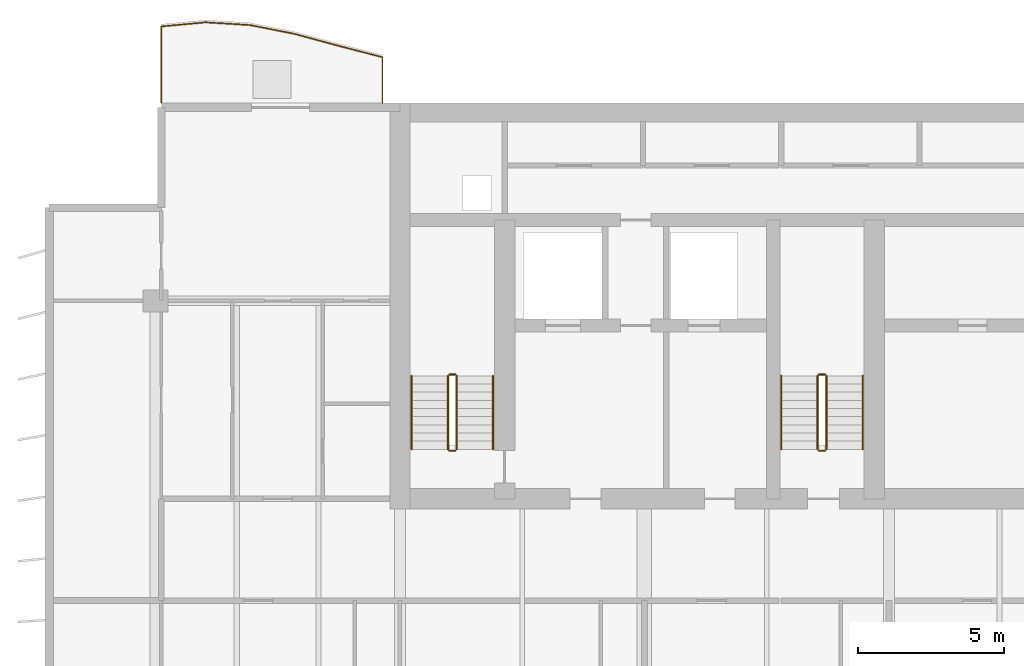
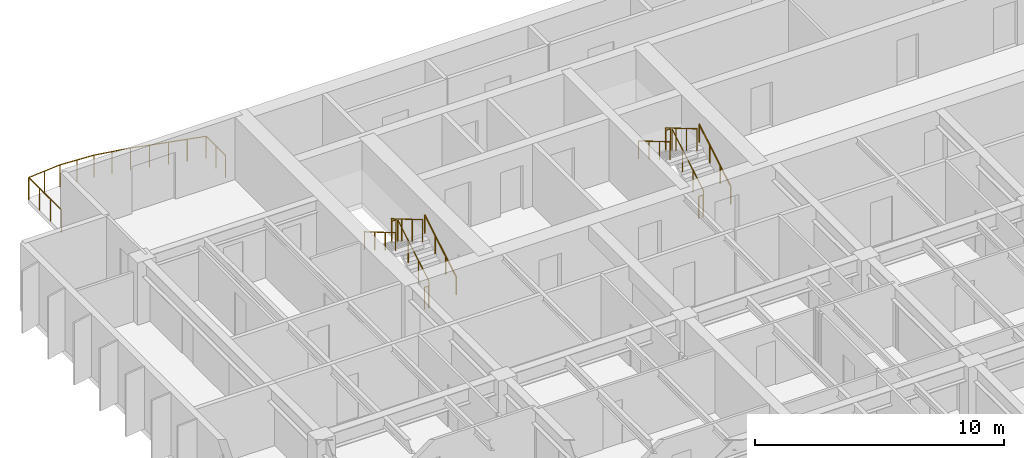
# One storey, part 17 of 19: 13 railings.
"""IFC4 building model written with IfcOpenShell, lengths in metres."""

from ifc_helpers import new_model, si_unit, direction, frame, origin, origin_2d, place, context, subcontext, project, spatial, circle, extrude, material, type_object, element, save


model = new_model("IFC4")

# Units and contexts
model_context = context("Model", 3, precision=1e-05, world=origin(), true_north=direction((0.0, 1.0)))
body_context = subcontext(model_context, "Body", "Model", "MODEL_VIEW")
ifc_project = project(units=[si_unit("LENGTHUNIT", "METRE"), si_unit("AREAUNIT", "SQUARE_METRE"), si_unit("VOLUMEUNIT", "CUBIC_METRE"), si_unit("PLANEANGLEUNIT", "RADIAN"), si_unit("MASSUNIT", "GRAM", prefix="KILO")], contexts=[model_context])

# Site, building, storey
site_placement = place(None, origin())
site = spatial("IfcSite", under=ifc_project, at=site_placement, CompositionType="ELEMENT")
building_placement = place(site_placement, origin())
building = spatial("IfcBuilding", under=site, at=building_placement, Name="Caelmar Bay Residences", CompositionType="ELEMENT")
storey_placement = place(building_placement, frame((0.0, 0.0, 188.39990234375)))
storey = spatial("IfcBuildingStorey", under=building, at=storey_placement, Name="L52", CompositionType="ELEMENT", Elevation=188.39990234375)

# Railings
ifc_material_1 = material(Name="Anodised bronze handrail with laminated hurricane glass infill", Category="glass")
railing_type_1 = type_object("IfcRailingType", Name="RL-BAL-1100", PredefinedType="BALUSTRADE", material=ifc_material_1)
railing_1_placement = place(storey_placement, frame((17.699951171875, 50.60009765625, 0.0)))
element("IfcRailing", 1, at=railing_1_placement, inside=storey, type_object=railing_type_1, Name="L52 north_west Balcony Balustrade", PredefinedType="BALUSTRADE", context=body_context, shape_type="SweptSolid", body=[
    extrude(circle(Radius=0.02392578125, at=origin_2d()), frame((0.0, 0.0, 1.076171875), z_axis=(0.0, 1.0, 0.0), x_axis=(-1.0, 0.0, 0.0)), (0.0, 0.0, 1.0), 1.570068359375),
    extrude(circle(Radius=0.02392578125, at=origin_2d()), frame((0.0, 1.570068359375, 1.076171875), z_axis=(-0.968040251218, 0.250794880375, 0.0), x_axis=(-0.250794880375, -0.968040251218, 0.0)), (0.0, 0.0, 1.0), 1.5703125),
    extrude(circle(Radius=0.02392578125, at=origin_2d()), frame((-1.52001953125, 1.9638671875, 1.076171875), z_axis=(-0.965273626461, 0.261240934884, 0.0), x_axis=(-0.261240934884, -0.965273626461, 0.0)), (0.0, 0.0, 1.0), 1.57470703125),
    extrude(circle(Radius=0.02392578125, at=origin_2d()), frame((-3.0400390625, 2.375244140625, 1.076171875), z_axis=(-0.981098441437, 0.193509297476, 0.0), x_axis=(-0.193509297476, -0.981098441437, 0.0)), (0.0, 0.0, 1.0), 1.54931640625),
    extrude(circle(Radius=0.02392578125, at=origin_2d()), frame((-4.56005859375, 2.675048828125, 1.076171875), z_axis=(-0.998112625987, 0.061409981647, 0.0), x_axis=(-0.061409981647, -0.998112625987, 0.0)), (0.0, 0.0, 1.0), 1.522705078125),
    extrude(circle(Radius=0.02392578125, at=origin_2d()), frame((-6.079833984375, 2.7685546875, 1.076171875), z_axis=(-0.995674076689, -0.092914654442, 0.0), x_axis=(0.092914654442, -0.995674076689, 0.0)), (0.0, 0.0, 1.0), 1.526611328125),
    extrude(circle(Radius=0.02392578125, at=origin_2d()), frame((-7.599853515625, 2.626708984375, 1.076171875), z_axis=(0.0, -1.0, 0.0), x_axis=(1.0, 0.0, 0.0)), (0.0, 0.0, 1.0), 2.626708984375),
    extrude(circle(Radius=0.02099609375, at=origin_2d()), origin(), (0.0, 0.0, 1.0), 1.052001953125),
    extrude(circle(Radius=0.02099609375, at=origin_2d()), frame((0.0, 0.78515625, 0.0)), (0.0, 0.0, 1.0), 1.052001953125),
    extrude(circle(Radius=0.02099609375, at=origin_2d()), frame((0.0, 1.570068359375, 0.0)), (0.0, 0.0, 1.0), 1.052001953125),
    extrude(circle(Radius=0.02099609375, at=origin_2d()), frame((-0.760009765625, 1.76708984375, 0.0)), (0.0, 0.0, 1.0), 1.052001953125),
    extrude(circle(Radius=0.02099609375, at=origin_2d()), frame((-1.52001953125, 1.9638671875, 0.0)), (0.0, 0.0, 1.0), 1.052001953125),
    extrude(circle(Radius=0.02099609375, at=origin_2d()), frame((-2.280029296875, 2.16943359375, 0.0)), (0.0, 0.0, 1.0), 1.052001953125),
    extrude(circle(Radius=0.02099609375, at=origin_2d()), frame((-3.0400390625, 2.375244140625, 0.0)), (0.0, 0.0, 1.0), 1.052001953125),
    extrude(circle(Radius=0.02099609375, at=origin_2d()), frame((-3.800048828125, 2.525146484375, 0.0)), (0.0, 0.0, 1.0), 1.052001953125),
    extrude(circle(Radius=0.02099609375, at=origin_2d()), frame((-4.56005859375, 2.675048828125, 0.0)), (0.0, 0.0, 1.0), 1.052001953125),
    extrude(circle(Radius=0.02099609375, at=origin_2d()), frame((-5.31982421875, 2.7216796875, 0.0)), (0.0, 0.0, 1.0), 1.052001953125),
    extrude(circle(Radius=0.02099609375, at=origin_2d()), frame((-6.079833984375, 2.7685546875, 0.0)), (0.0, 0.0, 1.0), 1.052001953125),
    extrude(circle(Radius=0.02099609375, at=origin_2d()), frame((-6.83984375, 2.69775390625, 0.0)), (0.0, 0.0, 1.0), 1.052001953125),
    extrude(circle(Radius=0.02099609375, at=origin_2d()), frame((-7.599853515625, 2.626708984375, 0.0)), (0.0, 0.0, 1.0), 1.052001953125),
    extrude(circle(Radius=0.02099609375, at=origin_2d()), frame((-7.599853515625, 1.751220703125, 0.0)), (0.0, 0.0, 1.0), 1.052001953125),
    extrude(circle(Radius=0.02099609375, at=origin_2d()), frame((-7.599853515625, 0.87548828125, 0.0)), (0.0, 0.0, 1.0), 1.052001953125),
    extrude(circle(Radius=0.02099609375, at=origin_2d()), frame((-7.599853515625, 0.0, 0.0)), (0.0, 0.0, 1.0), 1.052001953125),
])
ifc_material_2 = material(Name="Painted galvanized steel stair guard 1100 mm", Category="steel")
railing_type_2 = type_object("IfcRailingType", Name="RL-GRD-1100", PredefinedType="GUARDRAIL", material=ifc_material_2)
railing_2_placement = place(storey_placement, frame((20.25, 38.699951171875, 0.1650390625)))
element("IfcRailing", 2, at=railing_2_placement, inside=storey, type_object=railing_type_2, Name="L52 ST1 stair guard 1", PredefinedType="GUARDRAIL", context=body_context, shape_type="SweptSolid", body=[
    extrude(circle(Radius=0.02392578125, at=origin_2d()), frame((0.0, 0.0, 1.076171875), z_axis=(0.0, 0.86152411907, 0.507716645641), x_axis=(-1.0, 0.0, 0.0)), (0.0, 0.0, 1.0), 2.925048828125),
    extrude(circle(Radius=0.02099609375, at=origin_2d()), origin(), (0.0, 0.0, 1.0), 1.052001953125),
    extrude(circle(Radius=0.02099609375, at=origin_2d()), frame((0.0, 0.840087890625, 0.4951171875)), (0.0, 0.0, 1.0), 1.052001953125),
    extrude(circle(Radius=0.02099609375, at=origin_2d()), frame((0.0, 1.679931640625, 0.989990234375)), (0.0, 0.0, 1.0), 1.052001953125),
    extrude(circle(Radius=0.02099609375, at=origin_2d()), frame((0.0, 2.52001953125, 1.485107421875)), (0.0, 0.0, 1.0), 1.052001953125),
])
railing_3_placement = place(storey_placement, frame((20.199951171875, 41.27001953125, 1.650146484375)))
element("IfcRailing", 3, at=railing_3_placement, inside=storey, type_object=railing_type_2, Name="L52 ST1 stair guard 2", PredefinedType="GUARDRAIL", context=body_context, shape_type="SweptSolid", body=[
    extrude(circle(Radius=0.02392578125, at=origin_2d()), frame((0.0, 0.0, 1.076171875), z_axis=(-1.0, 0.0, 0.0), x_axis=(0.0, -1.0, 0.0)), (0.0, 0.0, 1.0), 0.199951171875),
    extrude(circle(Radius=0.02099609375, at=origin_2d()), origin(), (0.0, 0.0, 1.0), 1.052001953125),
    extrude(circle(Radius=0.02099609375, at=origin_2d()), frame((-0.199951171875, 0.0, 0.0)), (0.0, 0.0, 1.0), 1.052001953125),
])
railing_4_placement = place(storey_placement, frame((19.949951171875, 41.219970703125, 1.815185546875)))
element("IfcRailing", 4, at=railing_4_placement, inside=storey, type_object=railing_type_2, Name="L52 ST1 stair guard 3", PredefinedType="GUARDRAIL", context=body_context, shape_type="SweptSolid", body=[
    extrude(circle(Radius=0.02392578125, at=origin_2d()), frame((0.0, 0.0, 1.076171875), z_axis=(0.0, -0.861560626758, 0.507654692109), x_axis=(1.0, 0.0, 0.0)), (0.0, 0.0, 1.0), 2.925048828125),
    extrude(circle(Radius=0.02099609375, at=origin_2d()), origin(), (0.0, 0.0, 1.0), 1.052001953125),
    extrude(circle(Radius=0.02099609375, at=origin_2d()), frame((0.0, -0.840087890625, 0.494873046875)), (0.0, 0.0, 1.0), 1.052001953125),
    extrude(circle(Radius=0.02099609375, at=origin_2d()), frame((0.0, -1.679931640625, 0.989990234375)), (0.0, 0.0, 1.0), 1.052001953125),
    extrude(circle(Radius=0.02099609375, at=origin_2d()), frame((0.0, -2.52001953125, 1.48486328125)), (0.0, 0.0, 1.0), 1.052001953125),
])
railing_5_placement = place(storey_placement, frame((20.199951171875, 38.64990234375, 0.0)))
element("IfcRailing", 5, at=railing_5_placement, inside=storey, type_object=railing_type_2, Name="L52 ST1 stair guard 4", PredefinedType="GUARDRAIL", context=body_context, shape_type="SweptSolid", body=[
    extrude(circle(Radius=0.02392578125, at=origin_2d()), frame((0.0, 0.0, 1.076171875), z_axis=(-1.0, 0.0, 0.0), x_axis=(0.0, -1.0, 0.0)), (0.0, 0.0, 1.0), 0.199951171875),
    extrude(circle(Radius=0.02099609375, at=origin_2d()), origin(), (0.0, 0.0, 1.0), 1.052001953125),
    extrude(circle(Radius=0.02099609375, at=origin_2d()), frame((-0.199951171875, 0.0, 0.0)), (0.0, 0.0, 1.0), 1.052001953125),
])
railing_6_placement = place(storey_placement, frame((32.949951171875, 38.699951171875, 0.1650390625)))
element("IfcRailing", 6, at=railing_6_placement, inside=storey, type_object=railing_type_2, Name="L52 ST3 stair guard 1", PredefinedType="GUARDRAIL", context=body_context, shape_type="SweptSolid", body=[
    extrude(circle(Radius=0.02392578125, at=origin_2d()), frame((0.0, 0.0, 1.076171875), z_axis=(0.0, 0.86152411907, 0.507716645641), x_axis=(-1.0, 0.0, 0.0)), (0.0, 0.0, 1.0), 2.925048828125),
    extrude(circle(Radius=0.02099609375, at=origin_2d()), origin(), (0.0, 0.0, 1.0), 1.052001953125),
    extrude(circle(Radius=0.02099609375, at=origin_2d()), frame((0.0, 0.840087890625, 0.4951171875)), (0.0, 0.0, 1.0), 1.052001953125),
    extrude(circle(Radius=0.02099609375, at=origin_2d()), frame((0.0, 1.679931640625, 0.989990234375)), (0.0, 0.0, 1.0), 1.052001953125),
    extrude(circle(Radius=0.02099609375, at=origin_2d()), frame((0.0, 2.52001953125, 1.485107421875)), (0.0, 0.0, 1.0), 1.052001953125),
])
railing_7_placement = place(storey_placement, frame((32.89990234375, 41.27001953125, 1.650146484375)))
element("IfcRailing", 7, at=railing_7_placement, inside=storey, type_object=railing_type_2, Name="L52 ST3 stair guard 2", PredefinedType="GUARDRAIL", context=body_context, shape_type="SweptSolid", body=[
    extrude(circle(Radius=0.02392578125, at=origin_2d()), frame((0.0, 0.0, 1.076171875), z_axis=(-1.0, 0.0, 0.0), x_axis=(0.0, -1.0, 0.0)), (0.0, 0.0, 1.0), 0.199951171875),
    extrude(circle(Radius=0.02099609375, at=origin_2d()), origin(), (0.0, 0.0, 1.0), 1.052001953125),
    extrude(circle(Radius=0.02099609375, at=origin_2d()), frame((-0.199951171875, 0.0, 0.0)), (0.0, 0.0, 1.0), 1.052001953125),
])
railing_8_placement = place(storey_placement, frame((32.64990234375, 41.219970703125, 1.815185546875)))
element("IfcRailing", 8, at=railing_8_placement, inside=storey, type_object=railing_type_2, Name="L52 ST3 stair guard 3", PredefinedType="GUARDRAIL", context=body_context, shape_type="SweptSolid", body=[
    extrude(circle(Radius=0.02392578125, at=origin_2d()), frame((0.0, 0.0, 1.076171875), z_axis=(0.0, -0.861560626758, 0.507654692109), x_axis=(1.0, 0.0, 0.0)), (0.0, 0.0, 1.0), 2.925048828125),
    extrude(circle(Radius=0.02099609375, at=origin_2d()), origin(), (0.0, 0.0, 1.0), 1.052001953125),
    extrude(circle(Radius=0.02099609375, at=origin_2d()), frame((0.0, -0.840087890625, 0.494873046875)), (0.0, 0.0, 1.0), 1.052001953125),
    extrude(circle(Radius=0.02099609375, at=origin_2d()), frame((0.0, -1.679931640625, 0.989990234375)), (0.0, 0.0, 1.0), 1.052001953125),
    extrude(circle(Radius=0.02099609375, at=origin_2d()), frame((0.0, -2.52001953125, 1.48486328125)), (0.0, 0.0, 1.0), 1.052001953125),
])
railing_9_placement = place(storey_placement, frame((32.89990234375, 38.64990234375, 0.0)))
element("IfcRailing", 9, at=railing_9_placement, inside=storey, type_object=railing_type_2, Name="L52 ST3 stair guard 4", PredefinedType="GUARDRAIL", context=body_context, shape_type="SweptSolid", body=[
    extrude(circle(Radius=0.02392578125, at=origin_2d()), frame((0.0, 0.0, 1.076171875), z_axis=(-1.0, 0.0, 0.0), x_axis=(0.0, -1.0, 0.0)), (0.0, 0.0, 1.0), 0.199951171875),
    extrude(circle(Radius=0.02099609375, at=origin_2d()), origin(), (0.0, 0.0, 1.0), 1.052001953125),
    extrude(circle(Radius=0.02099609375, at=origin_2d()), frame((-0.199951171875, 0.0, 0.0)), (0.0, 0.0, 1.0), 1.052001953125),
])
ifc_material_3 = material(Name="Brushed bronze stainless-steel tubular handrail 900 mm", Category="steel")
railing_type_3 = type_object("IfcRailingType", Name="RL-HND-900", PredefinedType="HANDRAIL", material=ifc_material_3)
railing_10_placement = place(storey_placement, frame((21.5, 38.699951171875, 0.1650390625)))
element("IfcRailing", 10, at=railing_10_placement, inside=storey, type_object=railing_type_3, Name="L52 ST1 stair handrail 1", PredefinedType="HANDRAIL", context=body_context, shape_type="SweptSolid", body=[
    extrude(circle(Radius=0.02392578125, at=origin_2d()), frame((0.0, 0.0, 0.8759765625), z_axis=(0.0, 0.86152411907, 0.507716645641), x_axis=(-1.0, 0.0, 0.0)), (0.0, 0.0, 1.0), 2.925048828125),
    extrude(circle(Radius=0.02099609375, at=origin_2d()), origin(), (0.0, 0.0, 1.0), 0.851806640625),
    extrude(circle(Radius=0.02099609375, at=origin_2d()), frame((0.0, 0.840087890625, 0.4951171875)), (0.0, 0.0, 1.0), 0.851806640625),
    extrude(circle(Radius=0.02099609375, at=origin_2d()), frame((0.0, 1.679931640625, 0.989990234375)), (0.0, 0.0, 1.0), 0.851806640625),
    extrude(circle(Radius=0.02099609375, at=origin_2d()), frame((0.0, 2.52001953125, 1.485107421875)), (0.0, 0.0, 1.0), 0.851806640625),
])
railing_11_placement = place(storey_placement, frame((18.699951171875, 41.219970703125, 1.815185546875)))
element("IfcRailing", 11, at=railing_11_placement, inside=storey, type_object=railing_type_3, Name="L52 ST1 stair handrail 2", PredefinedType="HANDRAIL", context=body_context, shape_type="SweptSolid", body=[
    extrude(circle(Radius=0.02392578125, at=origin_2d()), frame((0.0, 0.0, 0.8759765625), z_axis=(0.0, -0.861560626758, 0.507654692109), x_axis=(1.0, 0.0, 0.0)), (0.0, 0.0, 1.0), 2.925048828125),
    extrude(circle(Radius=0.02099609375, at=origin_2d()), origin(), (0.0, 0.0, 1.0), 0.851806640625),
    extrude(circle(Radius=0.02099609375, at=origin_2d()), frame((0.0, -0.840087890625, 0.494873046875)), (0.0, 0.0, 1.0), 0.851806640625),
    extrude(circle(Radius=0.02099609375, at=origin_2d()), frame((0.0, -1.679931640625, 0.989990234375)), (0.0, 0.0, 1.0), 0.851806640625),
    extrude(circle(Radius=0.02099609375, at=origin_2d()), frame((0.0, -2.52001953125, 1.48486328125)), (0.0, 0.0, 1.0), 0.851806640625),
])
railing_12_placement = place(storey_placement, frame((34.199951171875, 38.699951171875, 0.1650390625)))
element("IfcRailing", 12, at=railing_12_placement, inside=storey, type_object=railing_type_3, Name="L52 ST3 stair handrail 1", PredefinedType="HANDRAIL", context=body_context, shape_type="SweptSolid", body=[
    extrude(circle(Radius=0.02392578125, at=origin_2d()), frame((0.0, 0.0, 0.8759765625), z_axis=(0.0, 0.86152411907, 0.507716645641), x_axis=(-1.0, 0.0, 0.0)), (0.0, 0.0, 1.0), 2.925048828125),
    extrude(circle(Radius=0.02099609375, at=origin_2d()), origin(), (0.0, 0.0, 1.0), 0.851806640625),
    extrude(circle(Radius=0.02099609375, at=origin_2d()), frame((0.0, 0.840087890625, 0.4951171875)), (0.0, 0.0, 1.0), 0.851806640625),
    extrude(circle(Radius=0.02099609375, at=origin_2d()), frame((0.0, 1.679931640625, 0.989990234375)), (0.0, 0.0, 1.0), 0.851806640625),
    extrude(circle(Radius=0.02099609375, at=origin_2d()), frame((0.0, 2.52001953125, 1.485107421875)), (0.0, 0.0, 1.0), 0.851806640625),
])
railing_13_placement = place(storey_placement, frame((31.39990234375, 41.219970703125, 1.815185546875)))
element("IfcRailing", 13, at=railing_13_placement, inside=storey, type_object=railing_type_3, Name="L52 ST3 stair handrail 2", PredefinedType="HANDRAIL", context=body_context, shape_type="SweptSolid", body=[
    extrude(circle(Radius=0.02392578125, at=origin_2d()), frame((0.0, 0.0, 0.8759765625), z_axis=(0.0, -0.861560626758, 0.507654692109), x_axis=(1.0, 0.0, 0.0)), (0.0, 0.0, 1.0), 2.925048828125),
    extrude(circle(Radius=0.02099609375, at=origin_2d()), origin(), (0.0, 0.0, 1.0), 0.851806640625),
    extrude(circle(Radius=0.02099609375, at=origin_2d()), frame((0.0, -0.840087890625, 0.494873046875)), (0.0, 0.0, 1.0), 0.851806640625),
    extrude(circle(Radius=0.02099609375, at=origin_2d()), frame((0.0, -1.679931640625, 0.989990234375)), (0.0, 0.0, 1.0), 0.851806640625),
    extrude(circle(Radius=0.02099609375, at=origin_2d()), frame((0.0, -2.52001953125, 1.48486328125)), (0.0, 0.0, 1.0), 0.851806640625),
])

save(model, "model.ifc")
